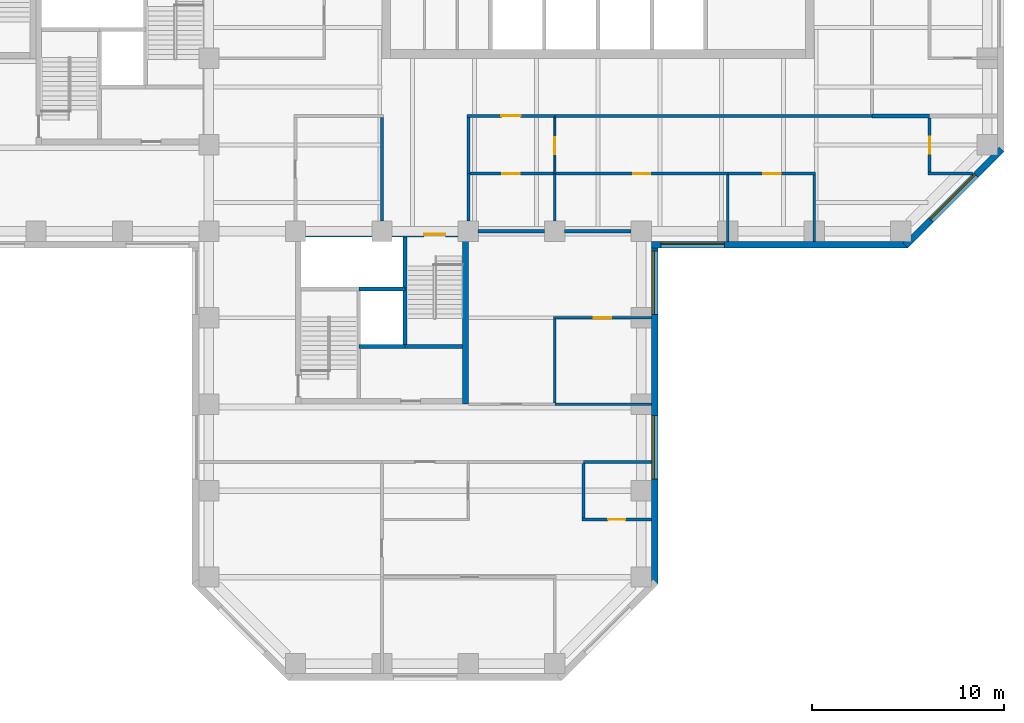
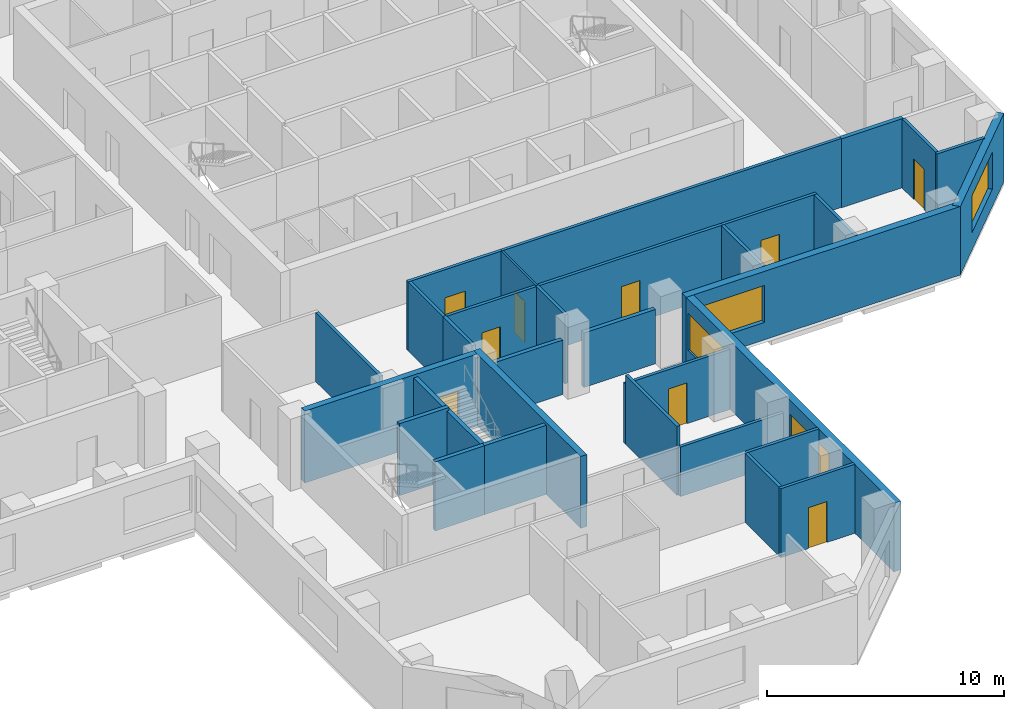
# One storey, part 4 of 11: 32 walls, 9 doors, 4 windows, 13 openings.
"""IFC4 building model written with IfcOpenShell, lengths in metres."""

from ifc_helpers import new_model, si_unit, direction, frame, frame_2d, origin, place, context, subcontext, project, spatial, rectangle, extrude, material, layer, layer_set, constituent, constituent_set, type_object, element, fill, save


model = new_model("IFC4")

# Units and contexts
model_context = context("Model", 3, precision=1e-05, world=origin(), true_north=direction((0.0, 1.0)))
body_context = subcontext(model_context, "Body", "Model", "MODEL_VIEW")
ifc_project = project(units=[si_unit("LENGTHUNIT", "METRE"), si_unit("AREAUNIT", "SQUARE_METRE"), si_unit("VOLUMEUNIT", "CUBIC_METRE"), si_unit("PLANEANGLEUNIT", "RADIAN"), si_unit("MASSUNIT", "GRAM", prefix="KILO")], contexts=[model_context])

# Site, building, storey
site_placement = place(None, origin())
site = spatial("IfcSite", under=ifc_project, at=site_placement, CompositionType="ELEMENT")
building_placement = place(site_placement, origin())
building = spatial("IfcBuilding", under=site, at=building_placement, Name="Quoin Convention Tower", CompositionType="ELEMENT")
storey_placement = place(building_placement, frame((0.0, 0.0, 101.10009765625)))
storey = spatial("IfcBuildingStorey", under=building, at=storey_placement, Name="L26", CompositionType="ELEMENT", Elevation=101.10009765625)

# Wall, opening, door
ifc_material_1 = material(Name="Plasterboard")
ifc_layer_1 = layer(ifc_material_1, 0.012451171875, Name="Finish")
ifc_material_2 = material(Name="Steel stud framing", Category="steel")
ifc_layer_2 = layer(ifc_material_2, 0.125, Name="Structure")
ifc_layer_3 = layer(ifc_material_1, 0.012451171875, Name="Finish")
ifc_layer_set_1 = layer_set([ifc_layer_1, ifc_layer_2, ifc_layer_3], Name="Steel stud framing")
wall_type_1 = type_object("IfcWallType", Name="Acoustic partition 150", PredefinedType="PARTITIONING", material=ifc_layer_set_1)
wall_1_placement = place(storey_placement, frame((49.574951171875, 43.5, 0.0), z_axis=(0.0, 0.0, 1.0), x_axis=(1.0, 0.0, 0.0)))
wall_1 = element("IfcWall", 1, at=wall_1_placement, inside=storey, type_object=wall_type_1, Name="pw-L26-013", PredefinedType="PARTITIONING", context=body_context, shape_type="SweptSolid", body=[
    extrude(rectangle(XDim=4.35009765625, YDim=0.14990234375, at=frame_2d((2.175048828125, 0.0))), origin(), (0.0, 0.0, 1.0), 3.5498046875),
])
opening_1_placement = place(wall_1_placement, frame((1.699951171875, 0.0, 0.0)))
opening_1 = element("IfcOpeningElement", 2, at=opening_1_placement, cuts=wall_1, Name="Opening DOL4-06", PredefinedType="OPENING", context=body_context, shape_type="SweptSolid", body=[
    extrude(rectangle(XDim=0.89990234375, YDim=2.10009765625, at=frame_2d((0.449951171875, 1.050048828125))), frame((0.0, 0.0849609375, 0.0), z_axis=(0.0, -1.0, 0.0), x_axis=(1.0, 0.0, 0.0)), (0.0, 0.0, 1.0), 0.169921875),
])
ifc_material_3 = material(Name="Steel door leaf", Category="steel")
door_type_1 = type_object("IfcDoorType", Name="Office door 900 x 2100", OperationType="SINGLE_SWING_RIGHT", PredefinedType="DOOR", material=ifc_material_3)
door_1_placement = place(opening_1_placement, origin())
door_1 = element("IfcDoor", 3, at=door_1_placement, inside=storey, type_object=door_type_1, Name="dr-L26-20", OperationType="SINGLE_SWING_RIGHT", OverallHeight=2.10009765625, OverallWidth=0.89990234375, PredefinedType="DOOR", context=body_context, shape_type="SweptSolid", body=[
    extrude(rectangle(XDim=0.89990234375, YDim=2.10009765625, at=frame_2d((0.449951171875, 1.050048828125))), frame((0.0, 0.02490234375, 0.0), z_axis=(0.0, -1.0, 0.0), x_axis=(1.0, 0.0, 0.0)), (0.0, 0.0, 1.0), 0.050048828125),
])
fill(opening_1, door_1)

wall_2_placement = place(storey_placement, frame((54.074951171875, 43.5, 0.0), z_axis=(0.0, 0.0, 1.0), x_axis=(1.0, 0.0, 0.0)))
wall_2 = element("IfcWall", 4, at=wall_2_placement, inside=storey, type_object=wall_type_1, Name="pw-L26-014", PredefinedType="PARTITIONING", context=body_context, shape_type="SweptSolid", body=[
    extrude(rectangle(XDim=8.925048828125, YDim=0.14990234375, at=frame_2d((4.46240234375, 0.0))), origin(), (0.0, 0.0, 1.0), 3.5498046875),
])
opening_2_placement = place(wall_2_placement, frame((4.0, 0.0, 0.0)))
opening_2 = element("IfcOpeningElement", 5, at=opening_2_placement, cuts=wall_2, Name="Opening DOL4-07", PredefinedType="OPENING", context=body_context, shape_type="SweptSolid", body=[
    extrude(rectangle(XDim=0.89990234375, YDim=2.10009765625, at=frame_2d((0.449951171875, 1.050048828125))), frame((0.0, 0.0849609375, 0.0), z_axis=(0.0, -1.0, 0.0), x_axis=(1.0, 0.0, 0.0)), (0.0, 0.0, 1.0), 0.169921875),
])
door_2_placement = place(opening_2_placement, origin())
door_2 = element("IfcDoor", 6, at=door_2_placement, inside=storey, type_object=door_type_1, Name="dr-L26-21", OperationType="SINGLE_SWING_RIGHT", OverallHeight=2.10009765625, OverallWidth=0.89990234375, PredefinedType="DOOR", context=body_context, shape_type="SweptSolid", body=[
    extrude(rectangle(XDim=0.89990234375, YDim=2.10009765625, at=frame_2d((0.449951171875, 1.050048828125))), frame((0.0, 0.02490234375, 0.0), z_axis=(0.0, -1.0, 0.0), x_axis=(1.0, 0.0, 0.0)), (0.0, 0.0, 1.0), 0.050048828125),
])
fill(opening_2, door_2)

wall_3_placement = place(storey_placement, frame((63.0, 43.5, 0.0), z_axis=(0.0, 0.0, 1.0), x_axis=(1.0, 0.0, 0.0)))
wall_3 = element("IfcWall", 7, at=wall_3_placement, inside=storey, type_object=wall_type_1, Name="pw-L26-015", PredefinedType="PARTITIONING", context=body_context, shape_type="SweptSolid", body=[
    extrude(rectangle(XDim=4.574951171875, YDim=0.14990234375, at=frame_2d((2.28759765625, 0.0))), origin(), (0.0, 0.0, 1.0), 3.5498046875),
])
opening_3_placement = place(wall_3_placement, frame((1.85009765625, 0.0, 0.0)))
opening_3 = element("IfcOpeningElement", 8, at=opening_3_placement, cuts=wall_3, Name="Opening DOL4-08", PredefinedType="OPENING", context=body_context, shape_type="SweptSolid", body=[
    extrude(rectangle(XDim=0.89990234375, YDim=2.10009765625, at=frame_2d((0.449951171875, 1.050048828125))), frame((0.0, 0.0849609375, 0.0), z_axis=(0.0, -1.0, 0.0), x_axis=(1.0, 0.0, 0.0)), (0.0, 0.0, 1.0), 0.169921875),
])
door_3_placement = place(opening_3_placement, origin())
door_3 = element("IfcDoor", 9, at=door_3_placement, inside=storey, type_object=door_type_1, Name="dr-L26-22", OperationType="SINGLE_SWING_RIGHT", OverallHeight=2.10009765625, OverallWidth=0.89990234375, PredefinedType="DOOR", context=body_context, shape_type="SweptSolid", body=[
    extrude(rectangle(XDim=0.89990234375, YDim=2.10009765625, at=frame_2d((0.449951171875, 1.050048828125))), frame((0.0, 0.02490234375, 0.0), z_axis=(0.0, -1.0, 0.0), x_axis=(1.0, 0.0, 0.0)), (0.0, 0.0, 1.0), 0.050048828125),
])
fill(opening_3, door_3)

# Walls
wall_4_placement = place(storey_placement, frame((54.0, 31.574951171875, 0.0), z_axis=(0.0, 0.0, 1.0), x_axis=(0.0, 1.0, 0.0)))
element("IfcWall", 10, at=wall_4_placement, inside=storey, type_object=wall_type_1, Name="pw-L26-056", PredefinedType="PARTITIONING", context=body_context, shape_type="SweptSolid", body=[
    extrude(rectangle(XDim=4.35009765625, YDim=0.14990234375, at=frame_2d((2.175048828125, 0.0))), origin(), (0.0, 0.0, 1.0), 3.5498046875),
])
for number, where, z_axis, x_axis, name in (
    (11, (63.0, 39.97509765625, 0.0), (0.0, 0.0, 1.0), (0.0, 1.0, 0.0), "pw-L26-058"),
    (12, (67.5, 39.97509765625, 0.0), (0.0, 0.0, 1.0), (0.0, 1.0, 0.0), "pw-L26-059"),
):
    element("IfcWall", number, at=place(storey_placement, frame(where, z_axis=z_axis, x_axis=x_axis)), inside=storey, type_object=wall_type_1, Name=name, PredefinedType="PARTITIONING", context=body_context, shape_type="SweptSolid", body=[
        extrude(rectangle(XDim=3.449951171875, YDim=0.14990234375, at=frame_2d((1.72509765625, 0.0))), origin(), (0.0, 0.0, 1.0), 3.5498046875),
    ])
wall_5_placement = place(storey_placement, frame((54.0, 41.02490234375, 0.0), z_axis=(0.0, 0.0, 1.0), x_axis=(0.0, 1.0, 0.0)))
element("IfcWall", 13, at=wall_5_placement, inside=storey, type_object=wall_type_1, Name="pw-L26-063", PredefinedType="PARTITIONING", context=body_context, shape_type="SweptSolid", body=[
    extrude(rectangle(XDim=2.47509765625, YDim=0.14990234375, at=frame_2d((1.237548828125, 0.0))), origin(), (0.0, 0.0, 1.0), 3.5498046875),
])

# Wall, opening, door
ifc_layer_4 = layer(ifc_material_1, 0.012451171875, Name="Finish")
ifc_layer_5 = layer(ifc_material_2, 0.125, Name="Structure")
ifc_layer_6 = layer(ifc_material_1, 0.012451171875, Name="Finish")
ifc_layer_set_2 = layer_set([ifc_layer_4, ifc_layer_5, ifc_layer_6], Name="Steel stud framing")
wall_type_2 = type_object("IfcWallType", Name="Acoustic partition 150 under beam 454", PredefinedType="PARTITIONING", material=ifc_layer_set_2)
wall_6_placement = place(storey_placement, frame((53.925048828125, 36.0, 0.0), z_axis=(0.0, 0.0, 1.0), x_axis=(1.0, 0.0, 0.0)))
wall_6 = element("IfcWall", 14, at=wall_6_placement, inside=storey, type_object=wall_type_2, Name="pw-L26-010", PredefinedType="PARTITIONING", context=body_context, shape_type="SweptSolid", body=[
    extrude(rectangle(XDim=5.099853515625, YDim=0.14990234375, at=frame_2d((2.5498046875, 0.0))), origin(), (0.0, 0.0, 1.0), 3.095947265625),
])
opening_4_placement = place(wall_6_placement, frame((2.10009765625, 0.0, 0.0)))
opening_4 = element("IfcOpeningElement", 15, at=opening_4_placement, cuts=wall_6, Name="Opening DOL4-05", PredefinedType="OPENING", context=body_context, shape_type="SweptSolid", body=[
    extrude(rectangle(XDim=0.89990234375, YDim=2.10009765625, at=frame_2d((0.449951171875, 1.050048828125))), frame((0.0, 0.0849609375, 0.0), z_axis=(0.0, -1.0, 0.0), x_axis=(1.0, 0.0, 0.0)), (0.0, 0.0, 1.0), 0.169921875),
])
door_4_placement = place(opening_4_placement, origin())
door_4 = element("IfcDoor", 16, at=door_4_placement, inside=storey, type_object=door_type_1, Name="dr-L26-16", OperationType="SINGLE_SWING_RIGHT", OverallHeight=2.10009765625, OverallWidth=0.89990234375, PredefinedType="DOOR", context=body_context, shape_type="SweptSolid", body=[
    extrude(rectangle(XDim=0.89990234375, YDim=2.10009765625, at=frame_2d((0.449951171875, 1.050048828125))), frame((0.0, 0.02490234375, 0.0), z_axis=(0.0, -1.0, 0.0), x_axis=(1.0, 0.0, 0.0)), (0.0, 0.0, 1.0), 0.050048828125),
])
fill(opening_4, door_4)

# Wall, opening, window
ifc_material_4 = material(Name="Brick masonry", Category="masonry")
ifc_layer_7 = layer(ifc_material_4, 0.35009765625)
ifc_layer_set_3 = layer_set([ifc_layer_7], Name="Brick masonry")
wall_type_3 = type_object("IfcWallType", Name="Brick facade wall", PredefinedType="STANDARD", material=ifc_layer_set_3)
wall_7_placement = place(storey_placement, frame((59.02490234375, 39.800048828125, 0.0), z_axis=(0.0, 0.0, 1.0), x_axis=(1.0, 0.0, 0.0)))
wall_7 = element("IfcWall", 17, at=wall_7_placement, inside=storey, type_object=wall_type_3, Name="fw-L26-58500_40500", PredefinedType="STANDARD", context=body_context, shape_type="SweptSolid", body=[
    extrude(rectangle(XDim=13.33740234375, YDim=0.35009765625, at=frame_2d((6.668701171875, 0.0))), origin(), (0.0, 0.0, 1.0), 3.52490234375),
])
opening_5_placement = place(wall_7_placement, frame((0.5, 0.0, 0.89990234375)))
opening_5 = element("IfcOpeningElement", 18, at=opening_5_placement, cuts=wall_7, Name="Opening W-02", PredefinedType="OPENING", context=body_context, shape_type="SweptSolid", body=[
    extrude(rectangle(XDim=3.300048828125, YDim=1.89990234375, at=frame_2d((1.64990234375, 0.949951171875))), frame((0.0, 0.18505859375, 0.0), z_axis=(0.0, -1.0, 0.0), x_axis=(1.0, 0.0, 0.0)), (0.0, 0.0, 1.0), 0.3701171875),
])
ifc_material_5 = material(Name="Aluminium", Category="aluminium")
ifc_constituent_1 = constituent(ifc_material_5, Name="Frame")
ifc_material_6 = material(Name="Insulated glass", Category="glass")
ifc_constituent_2 = constituent(ifc_material_6, Name="Glazing")
ifc_constituent_set = constituent_set(constituents=[ifc_constituent_1, ifc_constituent_2], Name="Aluminium")
window_type = type_object("IfcWindowType", Name="Office window", PartitioningType="DOUBLE_PANEL_VERTICAL", PredefinedType="WINDOW", material=ifc_constituent_set)
window_1_placement = place(opening_5_placement, origin())
window_1 = element("IfcWindow", 19, at=window_1_placement, inside=storey, type_object=window_type, Name="win-L26-60750_39800", OverallHeight=1.89990234375, OverallWidth=3.300048828125, PartitioningType="SINGLE_PANEL", PredefinedType="WINDOW", context=body_context, shape_type="SweptSolid", body=[
    extrude(rectangle(XDim=3.300048828125, YDim=1.89990234375, at=frame_2d((1.64990234375, 0.949951171875))), frame((0.0, 0.0849609375, 0.0), z_axis=(0.0, -1.0, 0.0), x_axis=(1.0, 0.0, 0.0)), (0.0, 0.0, 1.0), 0.06005859375),
])
fill(opening_5, window_1)

wall_8_placement = place(storey_placement, frame((72.23876953125, 39.748779296875, 0.0), z_axis=(0.0, 0.0, 1.0), x_axis=(0.707106781187, 0.707106781187, 0.0)))
wall_8 = element("IfcWall", 20, at=wall_8_placement, inside=storey, type_object=wall_type_3, Name="fw-L26-72000_40500", PredefinedType="STANDARD", context=body_context, shape_type="SweptSolid", body=[
    extrude(rectangle(XDim=7.088623046875, YDim=0.35009765625, at=frame_2d((3.54443359375, 0.0))), origin(), (0.0, 0.0, 1.0), 3.52490234375),
])
opening_6_placement = place(wall_8_placement, frame((1.894287109375, 0.0, 0.89990234375)))
opening_6 = element("IfcOpeningElement", 21, at=opening_6_placement, cuts=wall_8, Name="Opening W-02", PredefinedType="OPENING", context=body_context, shape_type="SweptSolid", body=[
    extrude(rectangle(XDim=3.300048828125, YDim=1.89990234375, at=frame_2d((1.64990234375, 0.949951171875))), frame((0.0, 0.18505859375, 0.0), z_axis=(0.0, -1.0, 0.0), x_axis=(1.0, 0.0, 0.0)), (0.0, 0.0, 1.0), 0.3701171875),
])
window_2_placement = place(opening_6_placement, origin())
window_2 = element("IfcWindow", 22, at=window_2_placement, inside=storey, type_object=window_type, Name="win-L26-74745_42255", OverallHeight=1.89990234375, OverallWidth=3.300048828125, PartitioningType="SINGLE_PANEL", PredefinedType="WINDOW", context=body_context, shape_type="SweptSolid", body=[
    extrude(rectangle(XDim=3.300048828125, YDim=1.89990234375, at=frame_2d((1.64990234375, 0.949951171875))), frame((0.0, 0.0849609375, 0.0), z_axis=(0.0, -1.0, 0.0), x_axis=(1.0, 0.0, 0.0)), (0.0, 0.0, 1.0), 0.06005859375),
])
fill(opening_6, window_2)

# Wall, openings, windows
wall_9_placement = place(storey_placement, frame((59.199951171875, 22.1376953125, 0.0), z_axis=(0.0, 0.0, 1.0), x_axis=(0.0, 1.0, 0.0)))
wall_9 = element("IfcWall", 23, at=wall_9_placement, inside=storey, type_object=wall_type_3, Name="fw-L26-58500_22500", PredefinedType="STANDARD", context=body_context, shape_type="SweptSolid", body=[
    extrude(rectangle(XDim=17.83740234375, YDim=0.35009765625, at=frame_2d((8.918701171875, 0.0))), origin(), (0.0, 0.0, 1.0), 3.52490234375),
])
opening_7_placement = place(wall_9_placement, frame((5.46240234375, 0.0, 0.89990234375)))
opening_7 = element("IfcOpeningElement", 24, at=opening_7_placement, cuts=wall_9, Name="Opening W-02", PredefinedType="OPENING", context=body_context, shape_type="SweptSolid", body=[
    extrude(rectangle(XDim=3.300048828125, YDim=1.89990234375, at=frame_2d((1.64990234375, 0.949951171875))), frame((0.0, 0.18505859375, 0.0), z_axis=(0.0, -1.0, 0.0), x_axis=(1.0, 0.0, 0.0)), (0.0, 0.0, 1.0), 0.3701171875),
])
opening_8_placement = place(wall_9_placement, frame((14.037353515625, 0.0, 0.89990234375)))
opening_8 = element("IfcOpeningElement", 25, at=opening_8_placement, cuts=wall_9, Name="Opening W-02", PredefinedType="OPENING", context=body_context, shape_type="SweptSolid", body=[
    extrude(rectangle(XDim=3.300048828125, YDim=1.89990234375, at=frame_2d((1.64990234375, 0.949951171875))), frame((0.0, 0.18505859375, 0.0), z_axis=(0.0, -1.0, 0.0), x_axis=(1.0, 0.0, 0.0)), (0.0, 0.0, 1.0), 0.3701171875),
])
window_3_placement = place(opening_7_placement, origin())
window_3 = element("IfcWindow", 26, at=window_3_placement, inside=storey, type_object=window_type, Name="win-L26-59200_29250", OverallHeight=1.89990234375, OverallWidth=3.300048828125, PartitioningType="SINGLE_PANEL", PredefinedType="WINDOW", context=body_context, shape_type="SweptSolid", body=[
    extrude(rectangle(XDim=3.300048828125, YDim=1.89990234375, at=frame_2d((1.64990234375, 0.949951171875))), frame((0.0, 0.0849609375, 0.0), z_axis=(0.0, -1.0, 0.0), x_axis=(1.0, 0.0, 0.0)), (0.0, 0.0, 1.0), 0.06005859375),
])
fill(opening_7, window_3)
window_4_placement = place(opening_8_placement, origin())
window_4 = element("IfcWindow", 27, at=window_4_placement, inside=storey, type_object=window_type, Name="win-L26-59200_38250", OverallHeight=1.89990234375, OverallWidth=3.300048828125, PartitioningType="SINGLE_PANEL", PredefinedType="WINDOW", context=body_context, shape_type="SweptSolid", body=[
    extrude(rectangle(XDim=3.300048828125, YDim=1.89990234375, at=frame_2d((1.64990234375, 0.949951171875))), frame((0.0, 0.0849609375, 0.0), z_axis=(0.0, -1.0, 0.0), x_axis=(1.0, 0.0, 0.0)), (0.0, 0.0, 1.0), 0.06005859375),
])
fill(opening_8, window_4)

# Walls
ifc_material_7 = material(Name="Concrete C50", Category="concrete")
ifc_layer_8 = layer(ifc_material_7, 0.199951171875)
ifc_layer_set_4 = layer_set([ifc_layer_8], Name="Concrete C50")
wall_type_4 = type_object("IfcWallType", Name="Core shaft wall", PredefinedType="SOLIDWALL", material=ifc_layer_set_4)
wall_10_placement = place(storey_placement, frame((43.800048828125, 34.5, 0.0), z_axis=(0.0, 0.0, 1.0), x_axis=(1.0, 0.0, 0.0)))
element("IfcWall", 28, at=wall_10_placement, inside=storey, type_object=wall_type_4, Name="cr-P3-L26-h3000_3300", PredefinedType="SOLIDWALL", context=body_context, shape_type="SweptSolid", body=[
    extrude(rectangle(XDim=2.39990234375, YDim=0.199951171875, at=frame_2d((1.199951171875, 0.0))), origin(), (0.0, 0.0, 1.0), 3.5498046875),
])
wall_11_placement = place(storey_placement, frame((46.199951171875, 34.5, 0.0), z_axis=(0.0, 0.0, 1.0), x_axis=(1.0, 0.0, 0.0)))
element("IfcWall", 29, at=wall_11_placement, inside=storey, type_object=wall_type_4, Name="cr-P3-L26-h3000_5700", PredefinedType="SOLIDWALL", context=body_context, shape_type="SweptSolid", body=[
    extrude(rectangle(XDim=3.0, YDim=0.199951171875, at=frame_2d((1.5, 0.0))), origin(), (0.0, 0.0, 1.0), 3.5498046875),
])
wall_12_placement = place(storey_placement, frame((46.199951171875, 34.5, 0.0), z_axis=(0.0, 0.0, 1.0), x_axis=(0.0, 1.0, 0.0)))
element("IfcWall", 30, at=wall_12_placement, inside=storey, type_object=wall_type_4, Name="cr-P3-L26-v5700_3000", PredefinedType="SOLIDWALL", context=body_context, shape_type="SweptSolid", body=[
    extrude(rectangle(XDim=5.699951171875, YDim=0.199951171875, at=frame_2d((2.85009765625, 0.0))), origin(), (0.0, 0.0, 1.0), 3.5498046875),
])
ifc_layer_9 = layer(ifc_material_7, 0.199951171875)
ifc_layer_set_5 = layer_set([ifc_layer_9], Name="Concrete C50")
wall_type_5 = type_object("IfcWallType", Name="Core shaft wall to the floor level over", PredefinedType="SOLIDWALL", material=ifc_layer_set_5)
wall_13_placement = place(storey_placement, frame((43.800048828125, 37.5, 0.0), z_axis=(0.0, 0.0, 1.0), x_axis=(1.0, 0.0, 0.0)))
element("IfcWall", 31, at=wall_13_placement, inside=storey, type_object=wall_type_5, Name="cr-P3-L26-h6000_3300", PredefinedType="SOLIDWALL", context=body_context, shape_type="SweptSolid", body=[
    extrude(rectangle(XDim=2.39990234375, YDim=0.199951171875, at=frame_2d((1.199951171875, 0.0))), origin(), (0.0, 0.0, 1.0), 3.699951171875),
])
ifc_layer_10 = layer(ifc_material_1, 0.012451171875, Name="Finish")
ifc_layer_11 = layer(ifc_material_2, 0.125, Name="Structure")
ifc_layer_12 = layer(ifc_material_1, 0.012451171875, Name="Finish")
ifc_layer_set_6 = layer_set([ifc_layer_10, ifc_layer_11, ifc_layer_12], Name="Steel stud framing")
wall_type_6 = type_object("IfcWallType", Name="Corridor wall 150", PredefinedType="PARTITIONING", material=ifc_layer_set_6)
wall_14_placement = place(storey_placement, frame((55.5, 28.5, 0.0), z_axis=(0.0, 0.0, 1.0), x_axis=(1.0, 0.0, 0.0)))
element("IfcWall", 32, at=wall_14_placement, inside=storey, type_object=wall_type_6, Name="pw-L26-007", PredefinedType="PARTITIONING", context=body_context, shape_type="SweptSolid", body=[
    extrude(rectangle(XDim=3.52490234375, YDim=0.14990234375, at=frame_2d((1.762451171875, 0.0))), origin(), (0.0, 0.0, 1.0), 3.5498046875),
])

# Wall, opening, door
wall_15_placement = place(storey_placement, frame((49.425048828125, 46.5, 0.0), z_axis=(0.0, 0.0, 1.0), x_axis=(1.0, 0.0, 0.0)))
wall_15 = element("IfcWall", 33, at=wall_15_placement, inside=storey, type_object=wall_type_6, Name="pw-L26-018", PredefinedType="PARTITIONING", context=body_context, shape_type="SweptSolid", body=[
    extrude(rectangle(XDim=4.574951171875, YDim=0.14990234375, at=frame_2d((2.28759765625, 0.0))), origin(), (0.0, 0.0, 1.0), 3.5498046875),
])
opening_9_placement = place(wall_15_placement, frame((1.800048828125, 0.0, 0.0)))
opening_9 = element("IfcOpeningElement", 34, at=opening_9_placement, cuts=wall_15, Name="Opening DOL4-09", PredefinedType="OPENING", context=body_context, shape_type="SweptSolid", body=[
    extrude(rectangle(XDim=1.0, YDim=2.10009765625, at=frame_2d((0.5, 1.050048828125))), frame((0.0, 0.0849609375, 0.0), z_axis=(0.0, -1.0, 0.0), x_axis=(1.0, 0.0, 0.0)), (0.0, 0.0, 1.0), 0.169921875),
])
door_type_2 = type_object("IfcDoorType", Name="Tenancy entrance door 1000 x 2100", OperationType="DOUBLE_DOOR_SINGLE_SWING", PredefinedType="DOOR", material=ifc_material_3)
door_5_placement = place(opening_9_placement, frame((1.0, 0.0, 0.0), z_axis=(0.0, 0.0, 1.0), x_axis=(-1.0, 0.0, 0.0)))
door_5 = element("IfcDoor", 35, at=door_5_placement, inside=storey, type_object=door_type_2, Name="dr-L26-17", OperationType="DOUBLE_DOOR_SINGLE_SWING", OverallHeight=2.10009765625, OverallWidth=1.0, PredefinedType="DOOR", context=body_context, shape_type="SweptSolid", body=[
    extrude(rectangle(XDim=1.0, YDim=2.10009765625, at=frame_2d((0.5, 1.050048828125))), frame((0.0, 0.02490234375, 0.0), z_axis=(0.0, -1.0, 0.0), x_axis=(1.0, 0.0, 0.0)), (0.0, 0.0, 1.0), 0.050048828125),
])
fill(opening_9, door_5)

# Walls
wall_16_placement = place(storey_placement, frame((54.0, 46.5, 0.0), z_axis=(0.0, 0.0, 1.0), x_axis=(1.0, 0.0, 0.0)))
element("IfcWall", 36, at=wall_16_placement, inside=storey, type_object=wall_type_6, Name="pw-L26-019", PredefinedType="PARTITIONING", context=body_context, shape_type="SweptSolid", body=[
    extrude(rectangle(XDim=16.5, YDim=0.14990234375, at=frame_2d((8.25, 0.0))), origin(), (0.0, 0.0, 1.0), 3.5498046875),
])
wall_17_placement = place(storey_placement, frame((45.0, 41.02490234375, 0.0), z_axis=(0.0, 0.0, 1.0), x_axis=(0.0, 1.0, 0.0)))
element("IfcWall", 37, at=wall_17_placement, inside=storey, type_object=wall_type_6, Name="pw-L26-061", PredefinedType="PARTITIONING", context=body_context, shape_type="SweptSolid", body=[
    extrude(rectangle(XDim=5.400146484375, YDim=0.14990234375, at=frame_2d((2.7001953125, 0.0))), origin(), (0.0, 0.0, 1.0), 3.5498046875),
])
wall_18_placement = place(storey_placement, frame((49.5, 41.02490234375, 0.0), z_axis=(0.0, 0.0, 1.0), x_axis=(0.0, 1.0, 0.0)))
element("IfcWall", 38, at=wall_18_placement, inside=storey, type_object=wall_type_6, Name="pw-L26-062", PredefinedType="PARTITIONING", context=body_context, shape_type="SweptSolid", body=[
    extrude(rectangle(XDim=2.47509765625, YDim=0.14990234375, at=frame_2d((1.237548828125, 0.0))), origin(), (0.0, 0.0, 1.0), 3.5498046875),
])
wall_19_placement = place(storey_placement, frame((49.5, 43.5, 0.0), z_axis=(0.0, 0.0, 1.0), x_axis=(0.0, 1.0, 0.0)))
element("IfcWall", 39, at=wall_19_placement, inside=storey, type_object=wall_type_6, Name="pw-L26-064", PredefinedType="PARTITIONING", context=body_context, shape_type="SweptSolid", body=[
    extrude(rectangle(XDim=2.925048828125, YDim=0.14990234375, at=frame_2d((1.46240234375, 0.0))), origin(), (0.0, 0.0, 1.0), 3.5498046875),
])
ifc_layer_13 = layer(ifc_material_1, 0.012451171875, Name="Finish")
ifc_layer_14 = layer(ifc_material_2, 0.125, Name="Structure")
ifc_layer_15 = layer(ifc_material_1, 0.012451171875, Name="Finish")
ifc_layer_set_7 = layer_set([ifc_layer_13, ifc_layer_14, ifc_layer_15], Name="Steel stud framing")
wall_type_7 = type_object("IfcWallType", Name="Corridor wall 150 under beam 1000", PredefinedType="PARTITIONING", material=ifc_layer_set_7)
wall_20_placement = place(storey_placement, frame((54.0, 31.5, 0.0), z_axis=(0.0, 0.0, 1.0), x_axis=(1.0, 0.0, 0.0)))
element("IfcWall", 40, at=wall_20_placement, inside=storey, type_object=wall_type_7, Name="pw-L26-009", PredefinedType="PARTITIONING", context=body_context, shape_type="SweptSolid", body=[
    extrude(rectangle(XDim=5.02490234375, YDim=0.14990234375, at=frame_2d((2.512451171875, 0.0))), origin(), (0.0, 0.0, 1.0), 2.5498046875),
])

# Wall, opening, door
ifc_material_8 = material(Name="Concrete C65", Category="concrete")
ifc_layer_16 = layer(ifc_material_8, 0.300048828125)
ifc_layer_set_8 = layer_set([ifc_layer_16], Name="Concrete C65")
wall_type_8 = type_object("IfcWallType", Name="RC CORE WALL 300 C65", PredefinedType="SHEAR", material=ifc_layer_set_8)
wall_21_placement = place(storey_placement, frame((40.800048828125, 40.35009765625, 0.0), z_axis=(0.0, 0.0, 1.0), x_axis=(1.0, 0.0, 0.0)))
wall_21 = element("IfcWall", 41, at=wall_21_placement, inside=storey, type_object=wall_type_8, Name="cwl-P3-L26-N", PredefinedType="SHEAR", context=body_context, shape_type="SweptSolid", body=[
    extrude(rectangle(XDim=8.39990234375, YDim=0.300048828125, at=frame_2d((4.199951171875, 0.0))), origin(), (0.0, 0.0, 1.0), 3.699951171875),
])
opening_10_placement = place(wall_21_placement, frame((6.39990234375, 0.0, 0.0)))
opening_10 = element("IfcOpeningElement", 42, at=opening_10_placement, cuts=wall_21, Name="Opening SD6", PredefinedType="OPENING", context=body_context, shape_type="SweptSolid", body=[
    extrude(rectangle(XDim=1.10009765625, YDim=2.10009765625, at=frame_2d((0.550048828125, 1.050048828125))), frame((0.0, 0.159912109375, 0.0), z_axis=(0.0, -1.0, 0.0), x_axis=(1.0, 0.0, 0.0)), (0.0, 0.0, 1.0), 0.320068359375),
])
door_type_3 = type_object("IfcDoorType", Name="Stair door 1100 x 2100", OperationType="SINGLE_SWING_RIGHT", PredefinedType="DOOR", material=ifc_material_3)
door_6_placement = place(opening_10_placement, frame((1.10009765625, 0.0, 0.0), z_axis=(0.0, 0.0, 1.0), x_axis=(-1.0, 0.0, 0.0)))
door_6 = element("IfcDoor", 43, at=door_6_placement, inside=storey, type_object=door_type_3, Name="cd-P3-L26-SB-N", OperationType="SINGLE_SWING_LEFT", OverallHeight=2.10009765625, OverallWidth=1.10009765625, PredefinedType="DOOR", context=body_context, shape_type="SweptSolid", body=[
    extrude(rectangle(XDim=1.10009765625, YDim=2.10009765625, at=frame_2d((0.550048828125, 1.050048828125))), frame((0.0, 0.02490234375, 0.0), z_axis=(0.0, -1.0, 0.0), x_axis=(1.0, 0.0, 0.0)), (0.0, 0.0, 1.0), 0.050048828125),
])
fill(opening_10, door_6)

# Wall
wall_22_placement = place(storey_placement, frame((49.35009765625, 31.5, 0.0), z_axis=(0.0, 0.0, 1.0), x_axis=(0.0, 1.0, 0.0)))
element("IfcWall", 44, at=wall_22_placement, inside=storey, type_object=wall_type_8, Name="cwl-P3-L26-E", PredefinedType="SHEAR", context=body_context, shape_type="SweptSolid", body=[
    extrude(rectangle(XDim=9.0, YDim=0.300048828125, at=frame_2d((4.5, 0.0))), origin(), (0.0, 0.0, 1.0), 3.699951171875),
])

# Wall, opening, door
ifc_layer_17 = layer(ifc_material_1, 0.012451171875, Name="Finish")
ifc_layer_18 = layer(ifc_material_2, 0.074951171875, Name="Structure")
ifc_layer_19 = layer(ifc_material_1, 0.012451171875, Name="Finish")
ifc_layer_set_9 = layer_set([ifc_layer_17, ifc_layer_18, ifc_layer_19], Name="Steel stud framing")
wall_type_9 = type_object("IfcWallType", Name="Stud partition 100", PredefinedType="PARTITIONING", material=ifc_layer_set_9)
wall_23_placement = place(storey_placement, frame((54.0, 43.5, 0.0), z_axis=(0.0, 0.0, 1.0), x_axis=(0.0, 1.0, 0.0)))
wall_23 = element("IfcWall", 45, at=wall_23_placement, inside=storey, type_object=wall_type_9, Name="pw-L26-065", PredefinedType="PARTITIONING", context=body_context, shape_type="SweptSolid", body=[
    extrude(rectangle(XDim=2.925048828125, YDim=0.10009765625, at=frame_2d((1.46240234375, 0.0))), origin(), (0.0, 0.0, 1.0), 3.5498046875),
])
opening_11_placement = place(wall_23_placement, frame((1.0, 0.0, 0.0)))
opening_11 = element("IfcOpeningElement", 46, at=opening_11_placement, cuts=wall_23, Name="Opening DOL4-20", PredefinedType="OPENING", context=body_context, shape_type="SweptSolid", body=[
    extrude(rectangle(XDim=0.89990234375, YDim=2.10009765625, at=frame_2d((0.449951171875, 1.050048828125))), frame((0.0, 0.06005859375, 0.0), z_axis=(0.0, -1.0, 0.0), x_axis=(1.0, 0.0, 0.0)), (0.0, 0.0, 1.0), 0.1201171875),
])
door_7_placement = place(opening_11_placement, frame((0.89990234375, 0.0, 0.0), z_axis=(0.0, 0.0, 1.0), x_axis=(-1.0, 0.0, 0.0)))
door_7 = element("IfcDoor", 47, at=door_7_placement, inside=storey, type_object=door_type_1, Name="dr-L26-18", OperationType="SINGLE_SWING_RIGHT", OverallHeight=2.10009765625, OverallWidth=0.89990234375, PredefinedType="DOOR", context=body_context, shape_type="SweptSolid", body=[
    extrude(rectangle(XDim=0.89990234375, YDim=2.10009765625, at=frame_2d((0.449951171875, 1.050048828125))), frame((0.0, 0.02490234375, 0.0), z_axis=(0.0, -1.0, 0.0), x_axis=(1.0, 0.0, 0.0)), (0.0, 0.0, 1.0), 0.050048828125),
])
fill(opening_11, door_7)

# Walls
ifc_layer_20 = layer(ifc_material_1, 0.012451171875, Name="Finish")
ifc_layer_21 = layer(ifc_material_2, 0.175048828125, Name="Structure")
ifc_layer_22 = layer(ifc_material_1, 0.012451171875, Name="Finish")
ifc_layer_set_10 = layer_set([ifc_layer_20, ifc_layer_21, ifc_layer_22], Name="Steel stud framing")
wall_type_10 = type_object("IfcWallType", Name="Tenancy demising wall 200", PredefinedType="PARTITIONING", material=ifc_layer_set_10)
wall_24_placement = place(storey_placement, frame((70.5, 46.5, 0.0), z_axis=(0.0, 0.0, 1.0), x_axis=(1.0, 0.0, 0.0)))
element("IfcWall", 48, at=wall_24_placement, inside=storey, type_object=wall_type_10, Name="pw-L26-020", PredefinedType="PARTITIONING", context=body_context, shape_type="SweptSolid", body=[
    extrude(rectangle(XDim=3.0, YDim=0.199951171875, at=frame_2d((1.5, 0.0))), origin(), (0.0, 0.0, 1.0), 3.5498046875),
])
ifc_layer_23 = layer(ifc_material_1, 0.012451171875, Name="Finish")
ifc_layer_24 = layer(ifc_material_2, 0.175048828125, Name="Structure")
ifc_layer_25 = layer(ifc_material_1, 0.012451171875, Name="Finish")
ifc_layer_set_11 = layer_set([ifc_layer_23, ifc_layer_24, ifc_layer_25], Name="Steel stud framing")
wall_type_11 = type_object("IfcWallType", Name="Tenancy demising wall 200 under beam 750", PredefinedType="PARTITIONING", material=ifc_layer_set_11)
wall_25_placement = place(storey_placement, frame((50.014892578125, 40.5, 0.0), z_axis=(0.0, 0.0, 1.0), x_axis=(1.0, 0.0, 0.0)))
element("IfcWall", 49, at=wall_25_placement, inside=storey, type_object=wall_type_11, Name="pw-L26-011", PredefinedType="PARTITIONING", context=body_context, shape_type="SweptSolid", body=[
    extrude(rectangle(XDim=3.460205078125, YDim=0.199951171875, at=frame_2d((1.72998046875, 0.0))), origin(), (0.0, 0.0, 1.0), 2.7998046875),
])
wall_26_placement = place(storey_placement, frame((54.4951171875, 40.5, 0.0), z_axis=(0.0, 0.0, 1.0), x_axis=(1.0, 0.0, 0.0)))
element("IfcWall", 50, at=wall_26_placement, inside=storey, type_object=wall_type_11, Name="pw-L26-012", PredefinedType="PARTITIONING", context=body_context, shape_type="SweptSolid", body=[
    extrude(rectangle(XDim=3.47998046875, YDim=0.199951171875, at=frame_2d((1.739990234375, 0.0))), origin(), (0.0, 0.0, 1.0), 2.7998046875),
])

# Wall, opening, door
ifc_layer_26 = layer(ifc_material_1, 0.012451171875, Name="Finish")
ifc_layer_27 = layer(ifc_material_2, 0.125, Name="Structure")
ifc_layer_28 = layer(ifc_material_1, 0.012451171875, Name="Finish")
ifc_layer_set_12 = layer_set([ifc_layer_26, ifc_layer_27, ifc_layer_28], Name="Steel stud framing")
wall_type_12 = type_object("IfcWallType", Name="Wet area partition 150", PredefinedType="PARTITIONING", material=ifc_layer_set_12)
wall_27_placement = place(storey_placement, frame((55.425048828125, 25.5, 0.0), z_axis=(0.0, 0.0, 1.0), x_axis=(1.0, 0.0, 0.0)))
wall_27 = element("IfcWall", 51, at=wall_27_placement, inside=storey, type_object=wall_type_12, Name="pw-L26-003", PredefinedType="PARTITIONING", context=body_context, shape_type="SweptSolid", body=[
    extrude(rectangle(XDim=3.599853515625, YDim=0.14990234375, at=frame_2d((1.7998046875, 0.0))), origin(), (0.0, 0.0, 1.0), 3.5498046875),
])
opening_12_placement = place(wall_27_placement, frame((1.35009765625, 0.0, 0.0)))
opening_12 = element("IfcOpeningElement", 52, at=opening_12_placement, cuts=wall_27, Name="Opening DOL4-02", PredefinedType="OPENING", context=body_context, shape_type="SweptSolid", body=[
    extrude(rectangle(XDim=0.89990234375, YDim=2.10009765625, at=frame_2d((0.449951171875, 1.050048828125))), frame((0.0, 0.0849609375, 0.0), z_axis=(0.0, -1.0, 0.0), x_axis=(1.0, 0.0, 0.0)), (0.0, 0.0, 1.0), 0.169921875),
])
door_8_placement = place(opening_12_placement, frame((0.89990234375, 0.0, 0.0), z_axis=(0.0, 0.0, 1.0), x_axis=(-1.0, 0.0, 0.0)))
door_8 = element("IfcDoor", 53, at=door_8_placement, inside=storey, type_object=door_type_1, Name="dr-L26-12", OperationType="SINGLE_SWING_LEFT", OverallHeight=2.10009765625, OverallWidth=0.89990234375, PredefinedType="DOOR", context=body_context, shape_type="SweptSolid", body=[
    extrude(rectangle(XDim=0.89990234375, YDim=2.10009765625, at=frame_2d((0.449951171875, 1.050048828125))), frame((0.0, 0.02490234375, 0.0), z_axis=(0.0, -1.0, 0.0), x_axis=(1.0, 0.0, 0.0)), (0.0, 0.0, 1.0), 0.050048828125),
])
fill(opening_12, door_8)

# Walls
wall_28_placement = place(storey_placement, frame((73.425048828125, 43.5, 0.0), z_axis=(0.0, 0.0, 1.0), x_axis=(1.0, 0.0, 0.0)))
element("IfcWall", 54, at=wall_28_placement, inside=storey, type_object=wall_type_12, Name="pw-L26-016", PredefinedType="PARTITIONING", context=body_context, shape_type="SweptSolid", body=[
    extrude(rectangle(XDim=2.3173828125, YDim=0.14990234375, at=frame_2d((1.15869140625, 0.0))), origin(), (0.0, 0.0, 1.0), 3.5498046875),
])
wall_29_placement = place(storey_placement, frame((55.5, 25.574951171875, 0.0), z_axis=(0.0, 0.0, 1.0), x_axis=(0.0, 1.0, 0.0)))
element("IfcWall", 55, at=wall_29_placement, inside=storey, type_object=wall_type_12, Name="pw-L26-055", PredefinedType="PARTITIONING", context=body_context, shape_type="SweptSolid", body=[
    extrude(rectangle(XDim=2.85009765625, YDim=0.14990234375, at=frame_2d((1.425048828125, 0.0))), origin(), (0.0, 0.0, 1.0), 3.5498046875),
])

# Wall, opening, door
wall_30_placement = place(storey_placement, frame((73.5, 43.574951171875, 0.0), z_axis=(0.0, 0.0, 1.0), x_axis=(0.0, 1.0, 0.0)))
wall_30 = element("IfcWall", 56, at=wall_30_placement, inside=storey, type_object=wall_type_12, Name="pw-L26-066", PredefinedType="PARTITIONING", context=body_context, shape_type="SweptSolid", body=[
    extrude(rectangle(XDim=2.824951171875, YDim=0.14990234375, at=frame_2d((1.41259765625, 0.0))), origin(), (0.0, 0.0, 1.0), 3.5498046875),
])
opening_13_placement = place(wall_30_placement, frame((0.949951171875, 0.0, 0.0)))
opening_13 = element("IfcOpeningElement", 57, at=opening_13_placement, cuts=wall_30, Name="Opening DOL4-21", PredefinedType="OPENING", context=body_context, shape_type="SweptSolid", body=[
    extrude(rectangle(XDim=0.89990234375, YDim=2.10009765625, at=frame_2d((0.449951171875, 1.050048828125))), frame((0.0, 0.0849609375, 0.0), z_axis=(0.0, -1.0, 0.0), x_axis=(1.0, 0.0, 0.0)), (0.0, 0.0, 1.0), 0.169921875),
])
door_9_placement = place(opening_13_placement, origin())
door_9 = element("IfcDoor", 58, at=door_9_placement, inside=storey, type_object=door_type_1, Name="dr-L26-19", OperationType="SINGLE_SWING_RIGHT", OverallHeight=2.10009765625, OverallWidth=0.89990234375, PredefinedType="DOOR", context=body_context, shape_type="SweptSolid", body=[
    extrude(rectangle(XDim=0.89990234375, YDim=2.10009765625, at=frame_2d((0.449951171875, 1.050048828125))), frame((0.0, 0.02490234375, 0.0), z_axis=(0.0, -1.0, 0.0), x_axis=(1.0, 0.0, 0.0)), (0.0, 0.0, 1.0), 0.050048828125),
])
fill(opening_13, door_9)

save(model, "model.ifc")
